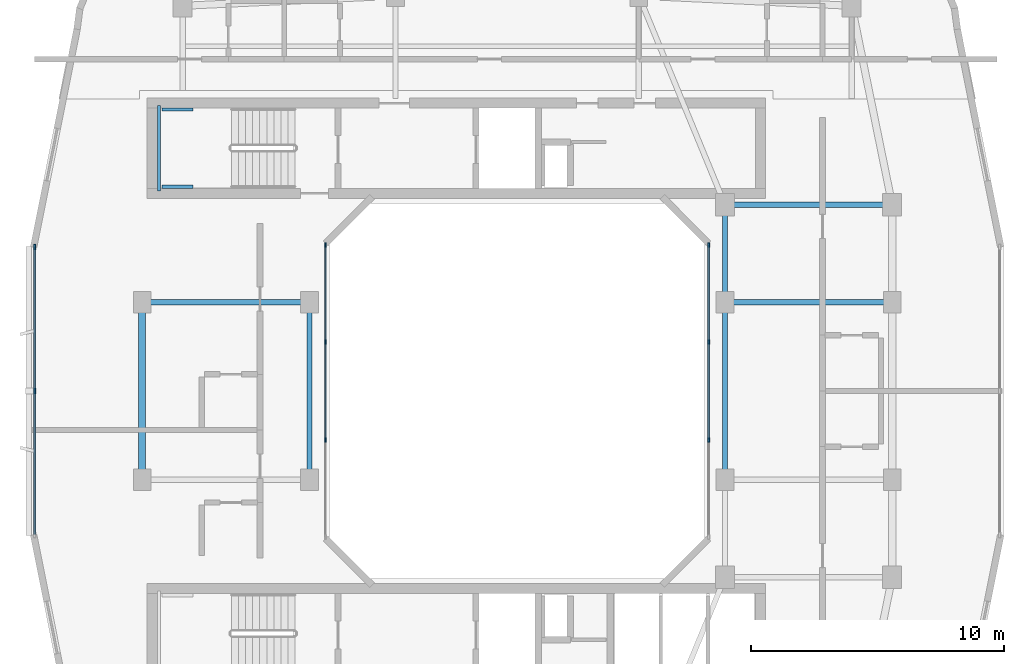
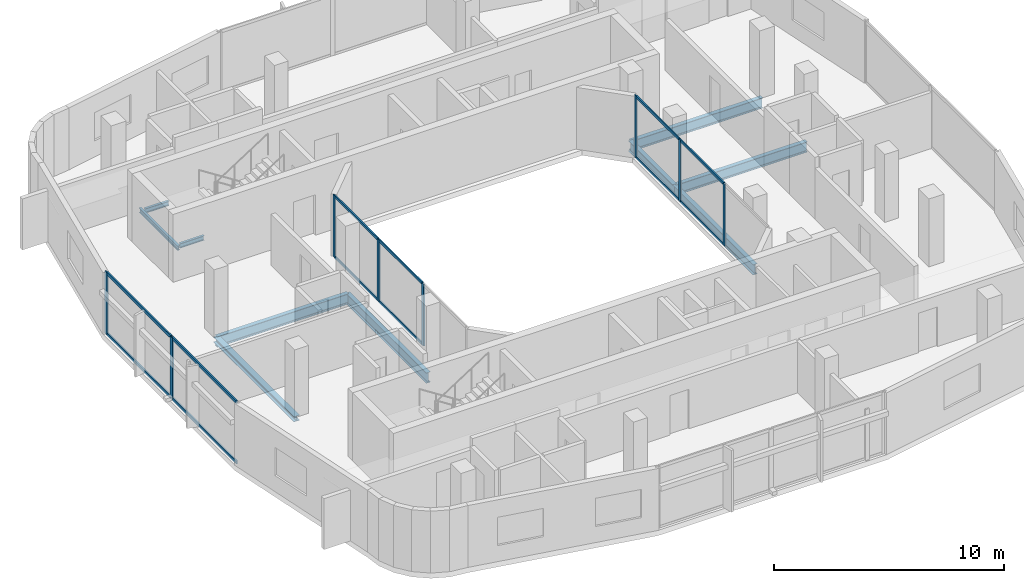
# One storey, part 3 of 13: 20 members, 10 beams, 3 elements without a shape of their own.
"""IFC4 building model written with IfcOpenShell, lengths in metres."""

from ifc_helpers import new_model, si_unit, derived_unit, direction, frame, origin, origin_2d, place, context, subcontext, project, spatial, rectangle, i_section, extrude, material, layer, layer_set, material_profile, profile_set, type_object, element, aggregate, save


model = new_model("IFC4")

# Units and contexts
model_context = context("Model", 3, precision=1e-05, world=origin(), true_north=direction((0.0, 1.0)))
body_context = subcontext(model_context, "Body", "Model", "MODEL_VIEW")
ifc_project = project(units=[si_unit("LENGTHUNIT", "METRE"), si_unit("AREAUNIT", "SQUARE_METRE"), si_unit("VOLUMEUNIT", "CUBIC_METRE"), si_unit("PLANEANGLEUNIT", "RADIAN"), si_unit("MASSUNIT", "GRAM", prefix="KILO"), derived_unit("THERMALTRANSMITTANCEUNIT", [(si_unit("POWERUNIT", "WATT"), 1), (si_unit("LENGTHUNIT", "METRE"), -2), (si_unit("THERMODYNAMICTEMPERATUREUNIT", "KELVIN"), -1)])], contexts=[model_context])

# Site, building, storey
site_placement = place(None, origin())
site = spatial("IfcSite", under=ifc_project, at=site_placement, CompositionType="ELEMENT")
building_placement = place(site_placement, origin())
building = spatial("IfcBuilding", under=site, at=building_placement, Name="Kivonza Crest Hotel", CompositionType="ELEMENT")
storey_placement = place(building_placement, frame((0.0, 0.0, 235.10009765625)))
storey = spatial("IfcBuildingStorey", under=building, at=storey_placement, Name="L64", CompositionType="ELEMENT", Elevation=235.10009765625)

# Beams
ifc_material_1 = material(Name="Steel S355", Category="steel")
ifc_material_profile_1 = material_profile(ifc_material_1, i_section(OverallWidth=0.280029296875, OverallDepth=0.280029296875, WebThickness=0.010498046875, FlangeThickness=0.01806640625, FilletRadius=0.02392578125, at=origin_2d()), Name="HEB 280")
ifc_profile_set_1 = profile_set([ifc_material_profile_1], Name="Steel S355")
beam_type_1 = type_object("IfcBeamType", Name="BM-HEB280", PredefinedType="SPANDREL", material=ifc_profile_set_1)
beam_1_placement = place(storey_placement, frame((6.199951171875, 28.5, -0.420166015625), z_axis=(0.0, -1.0, 0.0), x_axis=(1.0, 0.0, 0.0)))
element("IfcBeam", 1, at=beam_1_placement, inside=storey, type_object=beam_type_1, Name="Tower T1 L64 perimeter spandrel W2-W1", PredefinedType="SPANDREL", context=body_context, shape_type="SweptSolid", body=[
    extrude(i_section(OverallWidth=0.280029296875, OverallDepth=0.280029296875, WebThickness=0.010498046875, FlangeThickness=0.01806640625, FilletRadius=0.02392578125, at=origin_2d()), origin(), (0.0, 0.0, 1.0), 7.0),
])
ifc_material_profile_2 = material_profile(ifc_material_1, i_section(OverallWidth=0.2099609375, OverallDepth=0.550048828125, WebThickness=0.010986328125, FlangeThickness=0.01708984375, FilletRadius=0.02392578125, at=origin_2d()), Name="IPE 550")
ifc_profile_set_2 = profile_set([ifc_material_profile_2], Name="Steel S355")
beam_type_2 = type_object("IfcBeamType", Name="BM-IPE550", PredefinedType="BEAM", material=ifc_profile_set_2)
beam_2_placement = place(storey_placement, frame((6.199951171875, 28.5, -0.55517578125), z_axis=(1.0, 0.0, 0.0), x_axis=(0.0, 1.0, 0.0)))
element("IfcBeam", 2, at=beam_2_placement, inside=storey, type_object=beam_type_2, Name="Tower T1 L64 primary girder W2-WL2", PredefinedType="BEAM", context=body_context, shape_type="SweptSolid", body=[
    extrude(i_section(OverallWidth=0.2099609375, OverallDepth=0.550048828125, WebThickness=0.010986328125, FlangeThickness=0.01708984375, FilletRadius=0.02392578125, at=origin_2d()), origin(), (0.0, 0.0, 1.0), 6.60009765625),
])
beam_3_placement = place(storey_placement, frame((12.800048828125, 21.5, -0.55517578125), z_axis=(0.0, 1.0, 0.0), x_axis=(-1.0, 0.0, 0.0)))
element("IfcBeam", 3, at=beam_3_placement, inside=storey, type_object=beam_type_2, Name="Tower T1 L64 primary girder WL1-WL2", PredefinedType="BEAM", context=body_context, shape_type="SweptSolid", body=[
    extrude(i_section(OverallWidth=0.2099609375, OverallDepth=0.550048828125, WebThickness=0.010986328125, FlangeThickness=0.01708984375, FilletRadius=0.02392578125, at=origin_2d()), origin(), (0.0, 0.0, 1.0), 7.0),
])
beam_4_placement = place(storey_placement, frame((29.199951171875, 32.35009765625, -0.55517578125), z_axis=(1.0, 0.0, 0.0), x_axis=(0.0, 1.0, 0.0)))
element("IfcBeam", 4, at=beam_4_placement, inside=storey, type_object=beam_type_2, Name="Tower T1 L64 primary girder TNE-PNE", PredefinedType="BEAM", context=body_context, shape_type="SweptSolid", body=[
    extrude(i_section(OverallWidth=0.2099609375, OverallDepth=0.550048828125, WebThickness=0.010986328125, FlangeThickness=0.01708984375, FilletRadius=0.02392578125, at=origin_2d()), origin(), (0.0, 0.0, 1.0), 6.60009765625),
])
beam_5_placement = place(storey_placement, frame((29.199951171875, 21.5, -0.55517578125), z_axis=(0.0, 1.0, 0.0), x_axis=(-1.0, 0.0, 0.0)))
element("IfcBeam", 5, at=beam_5_placement, inside=storey, type_object=beam_type_2, Name="Tower T1 L64 primary girder WR1-WR2", PredefinedType="BEAM", context=body_context, shape_type="SweptSolid", body=[
    extrude(i_section(OverallWidth=0.2099609375, OverallDepth=0.550048828125, WebThickness=0.010986328125, FlangeThickness=0.01708984375, FilletRadius=0.02392578125, at=origin_2d()), origin(), (0.0, 0.0, 1.0), 7.0),
])
beam_6_placement = place(storey_placement, frame((29.199951171875, 28.5, -0.55517578125), z_axis=(0.0, 1.0, 0.0), x_axis=(-1.0, 0.0, 0.0)))
element("IfcBeam", 6, at=beam_6_placement, inside=storey, type_object=beam_type_2, Name="Tower T1 L64 primary girder WR2-TNE", PredefinedType="BEAM", context=body_context, shape_type="SweptSolid", body=[
    extrude(i_section(OverallWidth=0.2099609375, OverallDepth=0.550048828125, WebThickness=0.010986328125, FlangeThickness=0.01708984375, FilletRadius=0.02392578125, at=origin_2d()), origin(), (0.0, 0.0, 1.0), 3.85009765625),
])
beam_7_placement = place(storey_placement, frame((29.199951171875, 28.5, -0.55517578125), z_axis=(1.0, 0.0, 0.0), x_axis=(0.0, 1.0, 0.0)))
element("IfcBeam", 7, at=beam_7_placement, inside=storey, type_object=beam_type_2, Name="Tower T1 L64 primary girder WR2-E2", PredefinedType="BEAM", context=body_context, shape_type="SweptSolid", body=[
    extrude(i_section(OverallWidth=0.2099609375, OverallDepth=0.550048828125, WebThickness=0.010986328125, FlangeThickness=0.01708984375, FilletRadius=0.02392578125, at=origin_2d()), origin(), (0.0, 0.0, 1.0), 6.60009765625),
])
ifc_material_profile_3 = material_profile(ifc_material_1, i_section(OverallWidth=0.1201171875, OverallDepth=0.239990234375, WebThickness=0.006103515625, FlangeThickness=0.009765625, FilletRadius=0.014892578125, at=origin_2d()), Name="IPE 240")
ifc_profile_set_3 = profile_set([ifc_material_profile_3], Name="Steel S355")
beam_type_3 = type_object("IfcBeamType", Name="BM-LLDG-240", PredefinedType="BEAM", material=ifc_profile_set_3)
beam_8_placement = place(storey_placement, frame((6.860107421875, 32.89990234375, 1.47998046875), z_axis=(0.0, 1.0, 0.0), x_axis=(-1.0, 0.0, 0.0)))
element("IfcBeam", 8, at=beam_8_placement, inside=storey, type_object=beam_type_3, Name="Stair ST-T1-N L64 West landing corbel", PredefinedType="BEAM", context=body_context, shape_type="SweptSolid", body=[
    extrude(i_section(OverallWidth=0.1201171875, OverallDepth=0.239990234375, WebThickness=0.006103515625, FlangeThickness=0.009765625, FilletRadius=0.014892578125, at=origin_2d()), origin(), (0.0, 0.0, 1.0), 3.360107421875),
])
for number, where, z_axis, x_axis, name in (
    (9, (6.989990234375, 33.06005859375, 1.47998046875), (1.0, 0.0, 0.0), (0.0, 1.0, 0.0), "Stair ST-T1-N L64 South landing corbel"),
    (10, (6.989990234375, 36.10009765625, 1.47998046875), (1.0, 0.0, 0.0), (0.0, 1.0, 0.0), "Stair ST-T1-N L64 North landing corbel"),
):
    element("IfcBeam", number, at=place(storey_placement, frame(where, z_axis=z_axis, x_axis=x_axis)), inside=storey, type_object=beam_type_3, Name=name, PredefinedType="BEAM", context=body_context, shape_type="SweptSolid", body=[
        extrude(i_section(OverallWidth=0.1201171875, OverallDepth=0.239990234375, WebThickness=0.006103515625, FlangeThickness=0.009765625, FilletRadius=0.014892578125, at=origin_2d()), origin(), (0.0, 0.0, 1.0), 1.2099609375),
    ])

# Curtain wall, members
ifc_material_2 = material(Name="Anodised bronze aluminium and low-E double glazing", Category="aluminium")
ifc_layer_1 = layer(ifc_material_2, 0.159912109375)
ifc_layer_set_1 = layer_set([ifc_layer_1], Name="Anodised bronze aluminium and low-E double glazing")
curtain_wall_type_1 = type_object("IfcCurtainWallType", Name="CW-SYS-5", PredefinedType="NOTDEFINED", material=ifc_layer_set_1)
curtain_wall_1_placement = place(storey_placement, origin())
curtain_wall_1 = element("IfcCurtainWall", 11, at=curtain_wall_1_placement, inside=storey, type_object=curtain_wall_type_1, Name="L64 unitised curtain wall CW-WELL-T1-L64-3", PredefinedType="NOTDEFINED")
ifc_material_3 = material(Name="Anodised bronze aluminium", Category="aluminium")
ifc_material_profile_4 = material_profile(ifc_material_3, rectangle(XDim=0.06494140625, YDim=0.179931640625, at=origin_2d()), Name="CW-M 65x180")
ifc_profile_set_4 = profile_set([ifc_material_profile_4], Name="Anodised bronze aluminium")
member_type_1 = type_object("IfcMemberType", Name="CW-MUL-65x180", PredefinedType="MULLION", material=ifc_profile_set_4)
member_1_placement = place(storey_placement, frame((28.56005859375, 23.066650390625, 0.0), z_axis=(0.0, 0.0, 1.0), x_axis=(-1.0, 0.0, 0.0)))
member_1 = element("IfcMember", 12, at=member_1_placement, type_object=member_type_1, Name="CW-5 mullion 2", PredefinedType="MULLION", context=body_context, shape_type="SweptSolid", body=[
    extrude(rectangle(XDim=0.06494140625, YDim=0.179931640625, at=origin_2d()), origin(), (0.0, 0.0, 1.0), 3.27978515625),
])
member_2_placement = place(storey_placement, frame((28.56005859375, 26.933349609375, 0.0), z_axis=(0.0, 0.0, 1.0), x_axis=(-1.0, 0.0, 0.0)))
member_2 = element("IfcMember", 13, at=member_2_placement, type_object=member_type_1, Name="CW-5 mullion 3", PredefinedType="MULLION", context=body_context, shape_type="SweptSolid", body=[
    extrude(rectangle(XDim=0.06494140625, YDim=0.179931640625, at=origin_2d()), origin(), (0.0, 0.0, 1.0), 3.27978515625),
])
member_3_placement = place(storey_placement, frame((28.56005859375, 30.767578125, 0.0), z_axis=(0.0, 0.0, 1.0), x_axis=(-1.0, 0.0, 0.0)))
member_3 = element("IfcMember", 14, at=member_3_placement, type_object=member_type_1, Name="CW-5 mullion 4", PredefinedType="MULLION", context=body_context, shape_type="SweptSolid", body=[
    extrude(rectangle(XDim=0.06494140625, YDim=0.179931640625, at=origin_2d()), origin(), (0.0, 0.0, 1.0), 3.27978515625),
])

curtain_wall_2_placement = place(storey_placement, origin())
curtain_wall_2 = element("IfcCurtainWall", 15, at=curtain_wall_2_placement, inside=storey, type_object=curtain_wall_type_1, Name="L64 unitised curtain wall CW-WELL-T1-L64-7", PredefinedType="NOTDEFINED")
member_4_placement = place(storey_placement, frame((13.43994140625, 30.767578125, 0.0), z_axis=(0.0, 0.0, 1.0), x_axis=(1.0, 0.0, 0.0)))
member_4 = element("IfcMember", 16, at=member_4_placement, type_object=member_type_1, Name="CW-5 mullion 1", PredefinedType="MULLION", context=body_context, shape_type="SweptSolid", body=[
    extrude(rectangle(XDim=0.06494140625, YDim=0.179931640625, at=origin_2d()), origin(), (0.0, 0.0, 1.0), 3.27978515625),
])
member_5_placement = place(storey_placement, frame((13.43994140625, 26.933349609375, 0.0), z_axis=(0.0, 0.0, 1.0), x_axis=(1.0, 0.0, 0.0)))
member_5 = element("IfcMember", 17, at=member_5_placement, type_object=member_type_1, Name="CW-5 mullion 2", PredefinedType="MULLION", context=body_context, shape_type="SweptSolid", body=[
    extrude(rectangle(XDim=0.06494140625, YDim=0.179931640625, at=origin_2d()), origin(), (0.0, 0.0, 1.0), 3.27978515625),
])
member_6_placement = place(storey_placement, frame((13.43994140625, 23.066650390625, 0.0), z_axis=(0.0, 0.0, 1.0), x_axis=(1.0, 0.0, 0.0)))
member_6 = element("IfcMember", 18, at=member_6_placement, type_object=member_type_1, Name="CW-5 mullion 3", PredefinedType="MULLION", context=body_context, shape_type="SweptSolid", body=[
    extrude(rectangle(XDim=0.06494140625, YDim=0.179931640625, at=origin_2d()), origin(), (0.0, 0.0, 1.0), 3.27978515625),
])

ifc_layer_2 = layer(ifc_material_2, 0.179931640625)
ifc_layer_set_2 = layer_set([ifc_layer_2], Name="Anodised bronze aluminium and low-E double glazing")
curtain_wall_type_2 = type_object("IfcCurtainWallType", Name="CW-SYS-3", PredefinedType="NOTDEFINED", material=ifc_layer_set_2)
curtain_wall_3_placement = place(storey_placement, origin())
curtain_wall_3 = element("IfcCurtainWall", 19, at=curtain_wall_3_placement, inside=storey, type_object=curtain_wall_type_2, Name="L64 unitised curtain wall CW-T1-L64-35", PredefinedType="NOTDEFINED")
ifc_material_profile_5 = material_profile(ifc_material_3, rectangle(XDim=0.074951171875, YDim=0.219970703125, at=origin_2d()), Name="CW-M 75x220")
ifc_profile_set_5 = profile_set([ifc_material_profile_5], Name="Anodised bronze aluminium")
member_type_2 = type_object("IfcMemberType", Name="CW-MUL-75x220", PredefinedType="MULLION", material=ifc_profile_set_5)
member_7_placement = place(storey_placement, frame((1.9599609375, 30.6826171875, 0.0), z_axis=(0.0, 0.0, 1.0), x_axis=(1.0, 0.0, 0.0)))
member_7 = element("IfcMember", 20, at=member_7_placement, type_object=member_type_2, Name="CW-3 mullion 1", PredefinedType="MULLION", context=body_context, shape_type="SweptSolid", body=[
    extrude(rectangle(XDim=0.074951171875, YDim=0.219970703125, at=origin_2d()), origin(), (0.0, 0.0, 1.0), 3.27978515625),
])
member_8_placement = place(storey_placement, frame((1.9599609375, 25.0, 0.0), z_axis=(0.0, 0.0, 1.0), x_axis=(1.0, 0.0, 0.0)))
member_8 = element("IfcMember", 21, at=member_8_placement, type_object=member_type_2, Name="CW-3 mullion 2", PredefinedType="MULLION", context=body_context, shape_type="SweptSolid", body=[
    extrude(rectangle(XDim=0.074951171875, YDim=0.219970703125, at=origin_2d()), origin(), (0.0, 0.0, 1.0), 3.27978515625),
])

# Member
ifc_material_profile_6 = material_profile(ifc_material_3, rectangle(XDim=0.06494140625, YDim=0.139892578125, at=origin_2d()), Name="CW-T 65x140")
ifc_profile_set_6 = profile_set([ifc_material_profile_6], Name="Anodised bronze aluminium")
member_type_3 = type_object("IfcMemberType", Name="CW-TRN-65x140", PredefinedType="USERDEFINED", material=ifc_profile_set_6)
member_9_placement = place(storey_placement, frame((28.56005859375, 23.09912109375, 0.032470703125), z_axis=(0.0, 1.0, 0.0), x_axis=(-1.0, 0.0, 0.0)))
member_9 = element("IfcMember", 22, at=member_9_placement, type_object=member_type_3, Name="CW-5 transom 2.1", ObjectType="TRANSOM", PredefinedType="USERDEFINED", context=body_context, shape_type="SweptSolid", body=[
    extrude(rectangle(XDim=0.06494140625, YDim=0.139892578125, at=origin_2d()), origin(), (0.0, 0.0, 1.0), 3.8017578125),
])

member_10_placement = place(storey_placement, frame((28.56005859375, 23.09912109375, 3.247314453125), z_axis=(0.0, 1.0, 0.0), x_axis=(-1.0, 0.0, 0.0)))
member_10 = element("IfcMember", 23, at=member_10_placement, type_object=member_type_3, Name="CW-5 transom 2.2", ObjectType="TRANSOM", PredefinedType="USERDEFINED", context=body_context, shape_type="SweptSolid", body=[
    extrude(rectangle(XDim=0.06494140625, YDim=0.139892578125, at=origin_2d()), origin(), (0.0, 0.0, 1.0), 3.8017578125),
])

member_11_placement = place(storey_placement, frame((28.56005859375, 26.9658203125, 0.032470703125), z_axis=(0.0, 1.0, 0.0), x_axis=(-1.0, 0.0, 0.0)))
member_11 = element("IfcMember", 24, at=member_11_placement, type_object=member_type_3, Name="CW-5 transom 3.1", ObjectType="TRANSOM", PredefinedType="USERDEFINED", context=body_context, shape_type="SweptSolid", body=[
    extrude(rectangle(XDim=0.06494140625, YDim=0.139892578125, at=origin_2d()), origin(), (0.0, 0.0, 1.0), 3.769287109375),
])

member_12_placement = place(storey_placement, frame((28.56005859375, 26.9658203125, 3.247314453125), z_axis=(0.0, 1.0, 0.0), x_axis=(-1.0, 0.0, 0.0)))
member_12 = element("IfcMember", 25, at=member_12_placement, type_object=member_type_3, Name="CW-5 transom 3.2", ObjectType="TRANSOM", PredefinedType="USERDEFINED", context=body_context, shape_type="SweptSolid", body=[
    extrude(rectangle(XDim=0.06494140625, YDim=0.139892578125, at=origin_2d()), origin(), (0.0, 0.0, 1.0), 3.769287109375),
])

aggregate(curtain_wall_1, [member_1, member_2, member_3, member_9, member_10, member_11, member_12])

member_13_placement = place(storey_placement, frame((13.43994140625, 30.735107421875, 0.032470703125), z_axis=(0.0, -1.0, 0.0), x_axis=(1.0, 0.0, 0.0)))
member_13 = element("IfcMember", 26, at=member_13_placement, type_object=member_type_3, Name="CW-5 transom 1.1", ObjectType="TRANSOM", PredefinedType="USERDEFINED", context=body_context, shape_type="SweptSolid", body=[
    extrude(rectangle(XDim=0.06494140625, YDim=0.139892578125, at=origin_2d()), origin(), (0.0, 0.0, 1.0), 3.769287109375),
])

member_14_placement = place(storey_placement, frame((13.43994140625, 30.735107421875, 3.247314453125), z_axis=(0.0, -1.0, 0.0), x_axis=(1.0, 0.0, 0.0)))
member_14 = element("IfcMember", 27, at=member_14_placement, type_object=member_type_3, Name="CW-5 transom 1.2", ObjectType="TRANSOM", PredefinedType="USERDEFINED", context=body_context, shape_type="SweptSolid", body=[
    extrude(rectangle(XDim=0.06494140625, YDim=0.139892578125, at=origin_2d()), origin(), (0.0, 0.0, 1.0), 3.769287109375),
])

member_15_placement = place(storey_placement, frame((13.43994140625, 26.90087890625, 0.032470703125), z_axis=(0.0, -1.0, 0.0), x_axis=(1.0, 0.0, 0.0)))
member_15 = element("IfcMember", 28, at=member_15_placement, type_object=member_type_3, Name="CW-5 transom 2.1", ObjectType="TRANSOM", PredefinedType="USERDEFINED", context=body_context, shape_type="SweptSolid", body=[
    extrude(rectangle(XDim=0.06494140625, YDim=0.139892578125, at=origin_2d()), origin(), (0.0, 0.0, 1.0), 3.8017578125),
])

member_16_placement = place(storey_placement, frame((13.43994140625, 26.90087890625, 3.247314453125), z_axis=(0.0, -1.0, 0.0), x_axis=(1.0, 0.0, 0.0)))
member_16 = element("IfcMember", 29, at=member_16_placement, type_object=member_type_3, Name="CW-5 transom 2.2", ObjectType="TRANSOM", PredefinedType="USERDEFINED", context=body_context, shape_type="SweptSolid", body=[
    extrude(rectangle(XDim=0.06494140625, YDim=0.139892578125, at=origin_2d()), origin(), (0.0, 0.0, 1.0), 3.8017578125),
])

aggregate(curtain_wall_2, [member_4, member_5, member_6, member_13, member_14, member_15, member_16])

ifc_material_profile_7 = material_profile(ifc_material_3, rectangle(XDim=0.074951171875, YDim=0.159912109375, at=origin_2d()), Name="CW-T 75x160")
ifc_profile_set_7 = profile_set([ifc_material_profile_7], Name="Anodised bronze aluminium")
member_type_4 = type_object("IfcMemberType", Name="CW-TRN-75x160", PredefinedType="USERDEFINED", material=ifc_profile_set_7)
member_17_placement = place(storey_placement, frame((1.9599609375, 30.64501953125, 0.037353515625), z_axis=(0.0, -1.0, 0.0), x_axis=(1.0, 0.0, 0.0)))
member_17 = element("IfcMember", 30, at=member_17_placement, type_object=member_type_4, Name="CW-3 transom 1.1", ObjectType="TRANSOM", PredefinedType="USERDEFINED", context=body_context, shape_type="SweptSolid", body=[
    extrude(rectangle(XDim=0.074951171875, YDim=0.159912109375, at=origin_2d()), origin(), (0.0, 0.0, 1.0), 5.607421875),
])

member_18_placement = place(storey_placement, frame((1.9599609375, 30.64501953125, 3.242431640625), z_axis=(0.0, -1.0, 0.0), x_axis=(1.0, 0.0, 0.0)))
member_18 = element("IfcMember", 31, at=member_18_placement, type_object=member_type_4, Name="CW-3 transom 1.2", ObjectType="TRANSOM", PredefinedType="USERDEFINED", context=body_context, shape_type="SweptSolid", body=[
    extrude(rectangle(XDim=0.074951171875, YDim=0.159912109375, at=origin_2d()), origin(), (0.0, 0.0, 1.0), 5.607421875),
])

member_19_placement = place(storey_placement, frame((1.9599609375, 24.96240234375, 0.037353515625), z_axis=(0.0, -1.0, 0.0), x_axis=(1.0, 0.0, 0.0)))
member_19 = element("IfcMember", 32, at=member_19_placement, type_object=member_type_4, Name="CW-3 transom 2.1", ObjectType="TRANSOM", PredefinedType="USERDEFINED", context=body_context, shape_type="SweptSolid", body=[
    extrude(rectangle(XDim=0.074951171875, YDim=0.159912109375, at=origin_2d()), origin(), (0.0, 0.0, 1.0), 5.607421875),
])

member_20_placement = place(storey_placement, frame((1.9599609375, 24.96240234375, 3.242431640625), z_axis=(0.0, -1.0, 0.0), x_axis=(1.0, 0.0, 0.0)))
member_20 = element("IfcMember", 33, at=member_20_placement, type_object=member_type_4, Name="CW-3 transom 2.2", ObjectType="TRANSOM", PredefinedType="USERDEFINED", context=body_context, shape_type="SweptSolid", body=[
    extrude(rectangle(XDim=0.074951171875, YDim=0.159912109375, at=origin_2d()), origin(), (0.0, 0.0, 1.0), 5.607421875),
])

aggregate(curtain_wall_3, [member_7, member_8, member_17, member_18, member_19, member_20])

save(model, "model.ifc")
